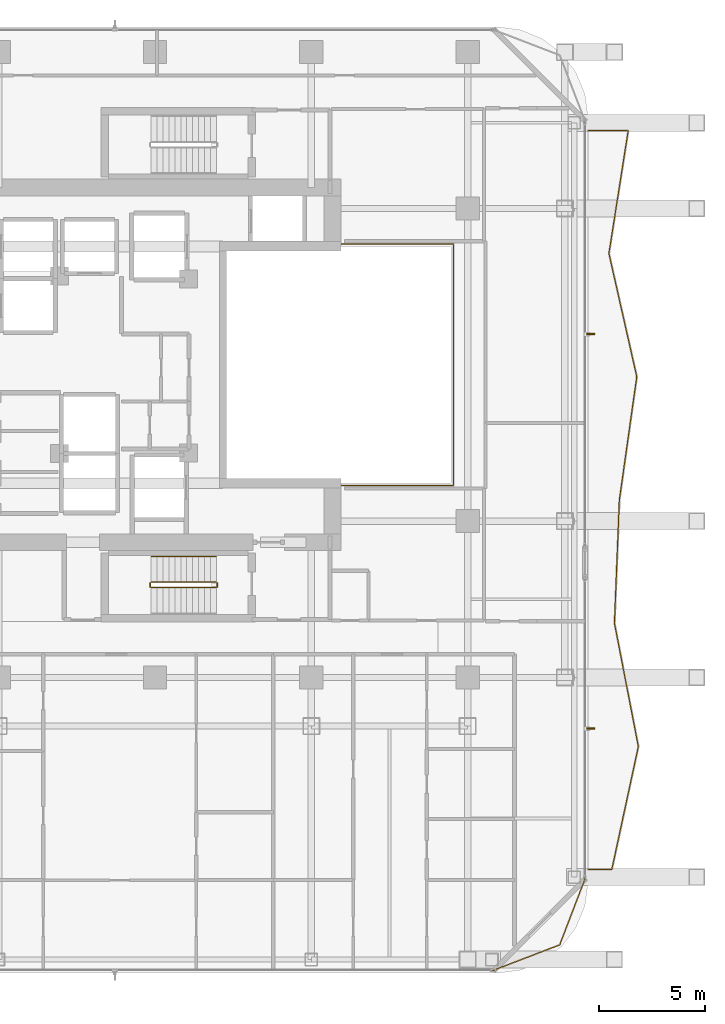
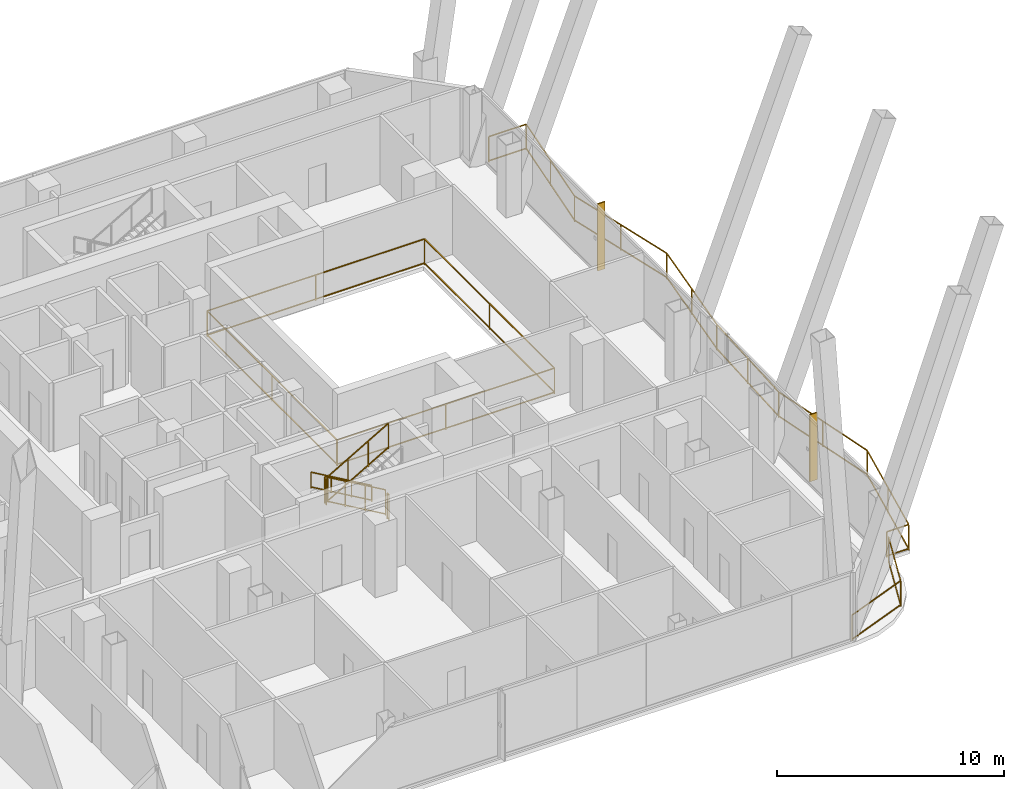
# One storey, part 26 of 27: 8 railings, 2 shading devices.
"""IFC4 building model written with IfcOpenShell, lengths in metres."""

from ifc_helpers import new_model, si_unit, direction, frame, origin, origin_2d, place, context, subcontext, project, spatial, rectangle, extrude, material, layer, layer_set, type_object, element, save


model = new_model("IFC4")

# Units and contexts
model_context = context("Model", 3, precision=1e-05, world=origin(), true_north=direction((0.0, 1.0)))
body_context = subcontext(model_context, "Body", "Model", "MODEL_VIEW")
ifc_project = project(units=[si_unit("LENGTHUNIT", "METRE"), si_unit("AREAUNIT", "SQUARE_METRE"), si_unit("VOLUMEUNIT", "CUBIC_METRE"), si_unit("PLANEANGLEUNIT", "RADIAN"), si_unit("MASSUNIT", "GRAM", prefix="KILO")], contexts=[model_context])

# Site, building, storey
site_placement = place(None, origin())
site = spatial("IfcSite", under=ifc_project, at=site_placement, CompositionType="ELEMENT")
building_placement = place(site_placement, origin())
building = spatial("IfcBuilding", under=site, at=building_placement, Name="Khorvyn Point Tower", CompositionType="ELEMENT")
storey_placement = place(building_placement, frame((0.0, 0.0, 203.10009765625)))
storey = spatial("IfcBuildingStorey", under=building, at=storey_placement, Name="L50", CompositionType="ELEMENT", Elevation=203.10009765625)

# Shading devices
ifc_material_1 = material(Name="Bronze anodised aluminium 6063-T6", Category="aluminium")
ifc_layer = layer(ifc_material_1, 0.06494140625)
ifc_layer_set = layer_set([ifc_layer], Name="Bronze Anodised Aluminium FIN 380x65")
shading_device_type = type_object("IfcShadingDeviceType", Name="Bronze Anodised Aluminium FIN 380x65", PredefinedType="USERDEFINED", material=ifc_layer_set)
for number, where, z_axis, x_axis, name in (
    (1, (20.6298828125, 1.451416015625, 0.039794921875), (0.0, 0.0, 1.0), (1.0, 0.0, 0.0), "L50 Anodised FIN 01"),
    (2, (20.6298828125, -17.218505859375, 0.039794921875), (0.0, 0.0, 1.0), (1.0, 0.0, 0.0), "L50 Anodised FIN 01"),
):
    element("IfcShadingDevice", number, at=place(storey_placement, frame(where, z_axis=z_axis, x_axis=x_axis)), inside=storey, type_object=shading_device_type, Name=name, ObjectType="FIN", PredefinedType="USERDEFINED", context=body_context, shape_type="SweptSolid", body=[
        extrude(rectangle(XDim=0.3798828125, YDim=0.06494140625, at=origin_2d()), origin(), (0.0, 0.0, 1.0), 3.60009765625),
    ])

# Railings
ifc_material_2 = material(Name="Stainless steel 1.4401 and laminated glass", Category="steel")
railing_type_1 = type_object("IfcRailingType", Name="Crystal Atrium Smoke-Rated Perimeter Guardrail 1400", PredefinedType="GUARDRAIL", material=ifc_material_2)
railing_1_placement = place(storey_placement, frame((3.080078125, -5.719970703125, 0.0)))
element("IfcRailing", 3, at=railing_1_placement, inside=storey, type_object=railing_type_1, Name="L50 Crystal Atrium Perimeter Guardrail", PredefinedType="GUARDRAIL", context=body_context, shape_type="SweptSolid", body=[
    extrude(rectangle(XDim=0.048095703125, YDim=0.048095703125, at=origin_2d()), frame((0.0, 0.0, 1.3759765625), z_axis=(1.0, 0.0, 0.0), x_axis=(0.0, 1.0, 0.0)), (0.0, 0.0, 1.0), 11.0400390625),
    extrude(rectangle(XDim=0.048095703125, YDim=0.048095703125, at=origin_2d()), frame((0.0, 0.0, 0.080078125), z_axis=(1.0, 0.0, 0.0), x_axis=(0.0, 1.0, 0.0)), (0.0, 0.0, 1.0), 11.0400390625),
    extrude(rectangle(XDim=0.048095703125, YDim=0.048095703125, at=origin_2d()), frame((11.0400390625, 0.0, 1.3759765625), z_axis=(0.0, 1.0, 0.0), x_axis=(-1.0, 0.0, 0.0)), (0.0, 0.0, 1.0), 11.43994140625),
    extrude(rectangle(XDim=0.048095703125, YDim=0.048095703125, at=origin_2d()), frame((11.0400390625, 0.0, 0.080078125), z_axis=(0.0, 1.0, 0.0), x_axis=(-1.0, 0.0, 0.0)), (0.0, 0.0, 1.0), 11.43994140625),
    extrude(rectangle(XDim=0.048095703125, YDim=0.048095703125, at=origin_2d()), frame((11.0400390625, 11.43994140625, 1.3759765625), z_axis=(-1.0, 0.0, 0.0), x_axis=(0.0, -1.0, 0.0)), (0.0, 0.0, 1.0), 11.0400390625),
    extrude(rectangle(XDim=0.048095703125, YDim=0.048095703125, at=origin_2d()), frame((11.0400390625, 11.43994140625, 0.080078125), z_axis=(-1.0, 0.0, 0.0), x_axis=(0.0, -1.0, 0.0)), (0.0, 0.0, 1.0), 11.0400390625),
    extrude(rectangle(XDim=0.048095703125, YDim=0.048095703125, at=origin_2d()), frame((0.0, 11.43994140625, 1.3759765625), z_axis=(0.0, -1.0, 0.0), x_axis=(1.0, 0.0, 0.0)), (0.0, 0.0, 1.0), 11.409912109375),
    extrude(rectangle(XDim=0.048095703125, YDim=0.048095703125, at=origin_2d()), frame((0.0, 11.43994140625, 0.080078125), z_axis=(0.0, -1.0, 0.0), x_axis=(1.0, 0.0, 0.0)), (0.0, 0.0, 1.0), 11.409912109375),
    extrude(rectangle(XDim=0.0419921875, YDim=0.0419921875, at=origin_2d()), origin(), (0.0, 0.0, 1.0), 1.351806640625),
    extrude(rectangle(XDim=0.0419921875, YDim=0.0419921875, at=origin_2d()), frame((5.52001953125, 0.0, 0.0)), (0.0, 0.0, 1.0), 1.351806640625),
    extrude(rectangle(XDim=0.0419921875, YDim=0.0419921875, at=origin_2d()), frame((11.0400390625, 0.0, 0.0)), (0.0, 0.0, 1.0), 1.351806640625),
    extrude(rectangle(XDim=0.0419921875, YDim=0.0419921875, at=origin_2d()), frame((11.0400390625, 5.719970703125, 0.0)), (0.0, 0.0, 1.0), 1.351806640625),
    extrude(rectangle(XDim=0.0419921875, YDim=0.0419921875, at=origin_2d()), frame((11.0400390625, 11.43994140625, 0.0)), (0.0, 0.0, 1.0), 1.351806640625),
    extrude(rectangle(XDim=0.0419921875, YDim=0.0419921875, at=origin_2d()), frame((5.52001953125, 11.43994140625, 0.0)), (0.0, 0.0, 1.0), 1.351806640625),
    extrude(rectangle(XDim=0.0419921875, YDim=0.0419921875, at=origin_2d()), frame((0.0, 11.43994140625, 0.0)), (0.0, 0.0, 1.0), 1.351806640625),
    extrude(rectangle(XDim=0.0419921875, YDim=0.0419921875, at=origin_2d()), frame((0.0, 5.73486328125, 0.0)), (0.0, 0.0, 1.0), 1.351806640625),
    extrude(rectangle(XDim=0.0419921875, YDim=0.0419921875, at=origin_2d()), frame((0.0, 0.030029296875, 0.0)), (0.0, 0.0, 1.0), 1.351806640625),
])
ifc_material_3 = material(Name="Anodised aluminium 6063-T6 and laminated safety glass", Category="aluminium")
railing_type_2 = type_object("IfcRailingType", Name="Laminated Glass and Aluminium Balcony Guardrail 1400", PredefinedType="BALUSTRADE", material=ifc_material_3)
railing_2_placement = place(storey_placement, frame((15.981201171875, -28.67431640625, 0.0)))
element("IfcRailing", 4, at=railing_2_placement, inside=storey, type_object=railing_type_2, Name="L50 Rounded Corner Edge Guardrail SE", PredefinedType="BALUSTRADE", context=body_context, shape_type="SweptSolid", body=[
    extrude(rectangle(XDim=0.048095703125, YDim=0.048095703125, at=origin_2d()), frame((0.0, 0.0, 1.3759765625), z_axis=(0.933589651443, 0.358343916815, 0.0), x_axis=(-0.358343916815, 0.933589651443, 0.0)), (0.0, 0.0, 1.0), 3.400390625),
    extrude(rectangle(XDim=0.048095703125, YDim=0.048095703125, at=origin_2d()), frame((0.0, 0.0, 0.080078125), z_axis=(0.933589651443, 0.358343916815, 0.0), x_axis=(-0.358343916815, 0.933589651443, 0.0)), (0.0, 0.0, 1.0), 3.400390625),
    extrude(rectangle(XDim=0.048095703125, YDim=0.048095703125, at=origin_2d()), frame((3.174560546875, 1.218505859375, 1.3759765625), z_axis=(0.358343916815, 0.933589651443, 0.0), x_axis=(-0.933589651443, 0.358343916815, 0.0)), (0.0, 0.0, 1.0), 3.400390625),
    extrude(rectangle(XDim=0.048095703125, YDim=0.048095703125, at=origin_2d()), frame((3.174560546875, 1.218505859375, 0.080078125), z_axis=(0.358343916815, 0.933589651443, 0.0), x_axis=(-0.933589651443, 0.358343916815, 0.0)), (0.0, 0.0, 1.0), 3.400390625),
    extrude(rectangle(XDim=0.0419921875, YDim=0.0419921875, at=origin_2d()), origin(), (0.0, 0.0, 1.0), 1.351806640625),
    extrude(rectangle(XDim=0.0419921875, YDim=0.0419921875, at=origin_2d()), frame((3.174560546875, 1.218505859375, 0.0)), (0.0, 0.0, 1.0), 1.351806640625),
    extrude(rectangle(XDim=0.0419921875, YDim=0.0419921875, at=origin_2d()), frame((4.39306640625, 4.39306640625, 0.0)), (0.0, 0.0, 1.0), 1.351806640625),
])
railing_3_placement = place(storey_placement, frame((20.5, -23.89990234375, 0.0)))
element("IfcRailing", 5, at=railing_3_placement, inside=storey, type_object=railing_type_2, Name="L50 East Balcony Guardrail", PredefinedType="BALUSTRADE", context=body_context, shape_type="SweptSolid", body=[
    extrude(rectangle(XDim=0.048095703125, YDim=0.048095703125, at=origin_2d()), frame((0.0, 0.0, 1.3759765625), z_axis=(1.0, 0.0, 0.0), x_axis=(0.0, 1.0, 0.0)), (0.0, 0.0, 1.0), 1.11865234375),
    extrude(rectangle(XDim=0.048095703125, YDim=0.048095703125, at=origin_2d()), frame((0.0, 0.0, 0.080078125), z_axis=(1.0, 0.0, 0.0), x_axis=(0.0, 1.0, 0.0)), (0.0, 0.0, 1.0), 1.11865234375),
    extrude(rectangle(XDim=0.048095703125, YDim=0.048095703125, at=origin_2d()), frame((1.11865234375, 0.0, 1.3759765625), z_axis=(0.210939819258, 0.977499049949, 0.0), x_axis=(-0.977499049949, 0.210939819258, 0.0)), (0.0, 0.0, 1.0), 5.967529296875),
    extrude(rectangle(XDim=0.048095703125, YDim=0.048095703125, at=origin_2d()), frame((1.11865234375, 0.0, 0.080078125), z_axis=(0.210939819258, 0.977499049949, 0.0), x_axis=(-0.977499049949, 0.210939819258, 0.0)), (0.0, 0.0, 1.0), 5.967529296875),
    extrude(rectangle(XDim=0.048095703125, YDim=0.048095703125, at=origin_2d()), frame((2.37744140625, 5.833251953125, 1.3759765625), z_axis=(-0.190281248462, 0.981729619846, 0.0), x_axis=(-0.981729619846, -0.190281248462, 0.0)), (0.0, 0.0, 1.0), 5.94189453125),
    extrude(rectangle(XDim=0.048095703125, YDim=0.048095703125, at=origin_2d()), frame((2.37744140625, 5.833251953125, 0.080078125), z_axis=(-0.190281248462, 0.981729619846, 0.0), x_axis=(-0.981729619846, -0.190281248462, 0.0)), (0.0, 0.0, 1.0), 5.94189453125),
    extrude(rectangle(XDim=0.048095703125, YDim=0.048095703125, at=origin_2d()), frame((1.246826171875, 11.66650390625, 1.3759765625), z_axis=(0.039769299947, 0.999208888462, 0.0), x_axis=(-0.999208888462, 0.039769299947, 0.0)), (0.0, 0.0, 1.0), 5.838134765625),
    extrude(rectangle(XDim=0.048095703125, YDim=0.048095703125, at=origin_2d()), frame((1.246826171875, 11.66650390625, 0.080078125), z_axis=(0.039769299947, 0.999208888462, 0.0), x_axis=(-0.999208888462, 0.039769299947, 0.0)), (0.0, 0.0, 1.0), 5.838134765625),
    extrude(rectangle(XDim=0.048095703125, YDim=0.048095703125, at=origin_2d()), frame((1.47900390625, 17.5, 1.3759765625), z_axis=(0.139947544031, 0.990158919022, 0.0), x_axis=(-0.990158919022, 0.139947544031, 0.0)), (0.0, 0.0, 1.0), 5.89111328125),
    extrude(rectangle(XDim=0.048095703125, YDim=0.048095703125, at=origin_2d()), frame((1.47900390625, 17.5, 0.080078125), z_axis=(0.139947544031, 0.990158919022, 0.0), x_axis=(-0.990158919022, 0.139947544031, 0.0)), (0.0, 0.0, 1.0), 5.89111328125),
    extrude(rectangle(XDim=0.048095703125, YDim=0.048095703125, at=origin_2d()), frame((2.303466796875, 23.333251953125, 1.3759765625), z_axis=(-0.2206029152, 0.975363703346, 0.0), x_axis=(-0.975363703346, -0.2206029152, 0.0)), (0.0, 0.0, 1.0), 5.980712890625),
    extrude(rectangle(XDim=0.048095703125, YDim=0.048095703125, at=origin_2d()), frame((2.303466796875, 23.333251953125, 0.080078125), z_axis=(-0.2206029152, 0.975363703346, 0.0), x_axis=(-0.975363703346, -0.2206029152, 0.0)), (0.0, 0.0, 1.0), 5.980712890625),
    extrude(rectangle(XDim=0.048095703125, YDim=0.048095703125, at=origin_2d()), frame((0.984130859375, 29.16650390625, 1.3759765625), z_axis=(0.155004956576, 0.987913692301, 0.0), x_axis=(-0.987913692301, 0.155004956576, 0.0)), (0.0, 0.0, 1.0), 5.90478515625),
    extrude(rectangle(XDim=0.048095703125, YDim=0.048095703125, at=origin_2d()), frame((0.984130859375, 29.16650390625, 0.080078125), z_axis=(0.155004956576, 0.987913692301, 0.0), x_axis=(-0.987913692301, 0.155004956576, 0.0)), (0.0, 0.0, 1.0), 5.90478515625),
    extrude(rectangle(XDim=0.048095703125, YDim=0.048095703125, at=origin_2d()), frame((1.8994140625, 35.0, 1.3759765625), z_axis=(-1.0, 0.0, 0.0), x_axis=(0.0, -1.0, 0.0)), (0.0, 0.0, 1.0), 1.8994140625),
    extrude(rectangle(XDim=0.048095703125, YDim=0.048095703125, at=origin_2d()), frame((1.8994140625, 35.0, 0.080078125), z_axis=(-1.0, 0.0, 0.0), x_axis=(0.0, -1.0, 0.0)), (0.0, 0.0, 1.0), 1.8994140625),
    extrude(rectangle(XDim=0.0419921875, YDim=0.0419921875, at=origin_2d()), origin(), (0.0, 0.0, 1.0), 1.351806640625),
    extrude(rectangle(XDim=0.0419921875, YDim=0.0419921875, at=origin_2d()), frame((1.11865234375, 0.0, 0.0)), (0.0, 0.0, 1.0), 1.351806640625),
    extrude(rectangle(XDim=0.0419921875, YDim=0.0419921875, at=origin_2d()), frame((1.748046875, 2.91650390625, 0.0)), (0.0, 0.0, 1.0), 1.351806640625),
    extrude(rectangle(XDim=0.0419921875, YDim=0.0419921875, at=origin_2d()), frame((2.37744140625, 5.833251953125, 0.0)), (0.0, 0.0, 1.0), 1.351806640625),
    extrude(rectangle(XDim=0.0419921875, YDim=0.0419921875, at=origin_2d()), frame((1.81201171875, 8.75, 0.0)), (0.0, 0.0, 1.0), 1.351806640625),
    extrude(rectangle(XDim=0.0419921875, YDim=0.0419921875, at=origin_2d()), frame((1.246826171875, 11.66650390625, 0.0)), (0.0, 0.0, 1.0), 1.351806640625),
    extrude(rectangle(XDim=0.0419921875, YDim=0.0419921875, at=origin_2d()), frame((1.36279296875, 14.583251953125, 0.0)), (0.0, 0.0, 1.0), 1.351806640625),
    extrude(rectangle(XDim=0.0419921875, YDim=0.0419921875, at=origin_2d()), frame((1.47900390625, 17.5, 0.0)), (0.0, 0.0, 1.0), 1.351806640625),
    extrude(rectangle(XDim=0.0419921875, YDim=0.0419921875, at=origin_2d()), frame((1.89111328125, 20.41650390625, 0.0)), (0.0, 0.0, 1.0), 1.351806640625),
    extrude(rectangle(XDim=0.0419921875, YDim=0.0419921875, at=origin_2d()), frame((2.303466796875, 23.333251953125, 0.0)), (0.0, 0.0, 1.0), 1.351806640625),
    extrude(rectangle(XDim=0.0419921875, YDim=0.0419921875, at=origin_2d()), frame((1.643798828125, 26.25, 0.0)), (0.0, 0.0, 1.0), 1.351806640625),
    extrude(rectangle(XDim=0.0419921875, YDim=0.0419921875, at=origin_2d()), frame((0.984130859375, 29.16650390625, 0.0)), (0.0, 0.0, 1.0), 1.351806640625),
    extrude(rectangle(XDim=0.0419921875, YDim=0.0419921875, at=origin_2d()), frame((1.44189453125, 32.083251953125, 0.0)), (0.0, 0.0, 1.0), 1.351806640625),
    extrude(rectangle(XDim=0.0419921875, YDim=0.0419921875, at=origin_2d()), frame((1.8994140625, 35.0, 0.0)), (0.0, 0.0, 1.0), 1.351806640625),
    extrude(rectangle(XDim=0.0419921875, YDim=0.0419921875, at=origin_2d()), frame((0.0, 35.0, 0.0)), (0.0, 0.0, 1.0), 1.351806640625),
])
ifc_material_4 = material(Name="Stainless steel 1.4301", Category="steel")
railing_type_3 = type_object("IfcRailingType", Name="Stainless Steel 304 Stair Pitch Handrail 900", PredefinedType="HANDRAIL", material=ifc_material_4)
railing_4_placement = place(storey_placement, frame((2.89990234375, -9.070068359375, 0.162353515625)))
element("IfcRailing", 6, at=railing_4_placement, inside=storey, type_object=railing_type_3, Name="L50 ST-01 stair handrail 1", PredefinedType="HANDRAIL", context=body_context, shape_type="SweptSolid", body=[
    extrude(rectangle(XDim=0.048095703125, YDim=0.048095703125, at=origin_2d()), frame((0.0, 0.0, 0.8759765625), z_axis=(-0.864873446163, 0.0, 0.501989962173), x_axis=(0.0, -1.0, 0.0)), (0.0, 0.0, 1.0), 3.56103515625),
    extrude(rectangle(XDim=0.048095703125, YDim=0.048095703125, at=origin_2d()), frame((0.0, 0.0, 0.080078125), z_axis=(-0.864873446163, 0.0, 0.501989962173), x_axis=(0.0, -1.0, 0.0)), (0.0, 0.0, 1.0), 3.56103515625),
    extrude(rectangle(XDim=0.0419921875, YDim=0.0419921875, at=origin_2d()), origin(), (0.0, 0.0, 1.0), 0.851806640625),
    extrude(rectangle(XDim=0.0419921875, YDim=0.0419921875, at=origin_2d()), frame((-1.026611328125, 0.0, 0.595947265625)), (0.0, 0.0, 1.0), 0.851806640625),
    extrude(rectangle(XDim=0.0419921875, YDim=0.0419921875, at=origin_2d()), frame((-2.05322265625, 0.0, 1.191650390625)), (0.0, 0.0, 1.0), 0.851806640625),
    extrude(rectangle(XDim=0.0419921875, YDim=0.0419921875, at=origin_2d()), frame((-3.079833984375, 0.0, 1.78759765625)), (0.0, 0.0, 1.0), 0.851806640625),
])
railing_type_4 = type_object("IfcRailingType", Name="Stainless Steel 304 Stair Well Guardrail 1400", PredefinedType="GUARDRAIL", material=ifc_material_4)
railing_5_placement = place(storey_placement, frame((2.89990234375, -10.2900390625, 0.162353515625)))
element("IfcRailing", 7, at=railing_5_placement, inside=storey, type_object=railing_type_4, Name="L50 ST-01 stair guard 1", PredefinedType="GUARDRAIL", context=body_context, shape_type="SweptSolid", body=[
    extrude(rectangle(XDim=0.048095703125, YDim=0.048095703125, at=origin_2d()), frame((0.0, 0.0, 1.3759765625), z_axis=(-0.864873446163, 0.0, 0.501989962173), x_axis=(0.0, -1.0, 0.0)), (0.0, 0.0, 1.0), 3.56103515625),
    extrude(rectangle(XDim=0.048095703125, YDim=0.048095703125, at=origin_2d()), frame((0.0, 0.0, 0.080078125), z_axis=(-0.864873446163, 0.0, 0.501989962173), x_axis=(0.0, -1.0, 0.0)), (0.0, 0.0, 1.0), 3.56103515625),
    extrude(rectangle(XDim=0.0419921875, YDim=0.0419921875, at=origin_2d()), origin(), (0.0, 0.0, 1.0), 1.351806640625),
    extrude(rectangle(XDim=0.0419921875, YDim=0.0419921875, at=origin_2d()), frame((-1.026611328125, 0.0, 0.595947265625)), (0.0, 0.0, 1.0), 1.351806640625),
    extrude(rectangle(XDim=0.0419921875, YDim=0.0419921875, at=origin_2d()), frame((-2.05322265625, 0.0, 1.191650390625)), (0.0, 0.0, 1.0), 1.351806640625),
    extrude(rectangle(XDim=0.0419921875, YDim=0.0419921875, at=origin_2d()), frame((-3.079833984375, 0.0, 1.78759765625)), (0.0, 0.0, 1.0), 1.351806640625),
])
railing_6_placement = place(storey_placement, frame((-0.22998046875, -10.340087890625, 1.949951171875)))
element("IfcRailing", 8, at=railing_6_placement, inside=storey, type_object=railing_type_4, Name="L50 ST-01 stair guard 2", PredefinedType="GUARDRAIL", context=body_context, shape_type="SweptSolid", body=[
    extrude(rectangle(XDim=0.048095703125, YDim=0.048095703125, at=origin_2d()), frame((0.0, 0.0, 1.3759765625), z_axis=(0.0, -1.0, 0.0), x_axis=(1.0, 0.0, 0.0)), (0.0, 0.0, 1.0), 0.159912109375),
    extrude(rectangle(XDim=0.048095703125, YDim=0.048095703125, at=origin_2d()), frame((0.0, 0.0, 0.080078125), z_axis=(0.0, -1.0, 0.0), x_axis=(1.0, 0.0, 0.0)), (0.0, 0.0, 1.0), 0.159912109375),
    extrude(rectangle(XDim=0.0419921875, YDim=0.0419921875, at=origin_2d()), origin(), (0.0, 0.0, 1.0), 1.351806640625),
    extrude(rectangle(XDim=0.0419921875, YDim=0.0419921875, at=origin_2d()), frame((0.0, -0.159912109375, 0.0)), (0.0, 0.0, 1.0), 1.351806640625),
])
railing_7_placement = place(storey_placement, frame((-0.179931640625, -10.550048828125, 2.1123046875)))
element("IfcRailing", 9, at=railing_7_placement, inside=storey, type_object=railing_type_4, Name="L50 ST-01 stair guard 3", PredefinedType="GUARDRAIL", context=body_context, shape_type="SweptSolid", body=[
    extrude(rectangle(XDim=0.048095703125, YDim=0.048095703125, at=origin_2d()), frame((0.0, 0.0, 1.3759765625), z_axis=(0.864873446163, 0.0, 0.501989962173), x_axis=(0.0, 1.0, 0.0)), (0.0, 0.0, 1.0), 3.56103515625),
    extrude(rectangle(XDim=0.048095703125, YDim=0.048095703125, at=origin_2d()), frame((0.0, 0.0, 0.080078125), z_axis=(0.864873446163, 0.0, 0.501989962173), x_axis=(0.0, 1.0, 0.0)), (0.0, 0.0, 1.0), 3.56103515625),
    extrude(rectangle(XDim=0.0419921875, YDim=0.0419921875, at=origin_2d()), origin(), (0.0, 0.0, 1.0), 1.351806640625),
    extrude(rectangle(XDim=0.0419921875, YDim=0.0419921875, at=origin_2d()), frame((1.026611328125, 0.0, 0.595947265625)), (0.0, 0.0, 1.0), 1.351806640625),
    extrude(rectangle(XDim=0.0419921875, YDim=0.0419921875, at=origin_2d()), frame((2.05322265625, 0.0, 1.191650390625)), (0.0, 0.0, 1.0), 1.351806640625),
    extrude(rectangle(XDim=0.0419921875, YDim=0.0419921875, at=origin_2d()), frame((3.079833984375, 0.0, 1.78759765625)), (0.0, 0.0, 1.0), 1.351806640625),
])
railing_8_placement = place(storey_placement, frame((2.949951171875, -10.340087890625, 0.0)))
element("IfcRailing", 10, at=railing_8_placement, inside=storey, type_object=railing_type_4, Name="L50 ST-01 stair guard 4", PredefinedType="GUARDRAIL", context=body_context, shape_type="SweptSolid", body=[
    extrude(rectangle(XDim=0.048095703125, YDim=0.048095703125, at=origin_2d()), frame((0.0, 0.0, 1.3759765625), z_axis=(0.0, -1.0, 0.0), x_axis=(1.0, 0.0, 0.0)), (0.0, 0.0, 1.0), 0.159912109375),
    extrude(rectangle(XDim=0.048095703125, YDim=0.048095703125, at=origin_2d()), frame((0.0, 0.0, 0.080078125), z_axis=(0.0, -1.0, 0.0), x_axis=(1.0, 0.0, 0.0)), (0.0, 0.0, 1.0), 0.159912109375),
    extrude(rectangle(XDim=0.0419921875, YDim=0.0419921875, at=origin_2d()), origin(), (0.0, 0.0, 1.0), 1.351806640625),
    extrude(rectangle(XDim=0.0419921875, YDim=0.0419921875, at=origin_2d()), frame((0.0, -0.159912109375, 0.0)), (0.0, 0.0, 1.0), 1.351806640625),
])

save(model, "model.ifc")
